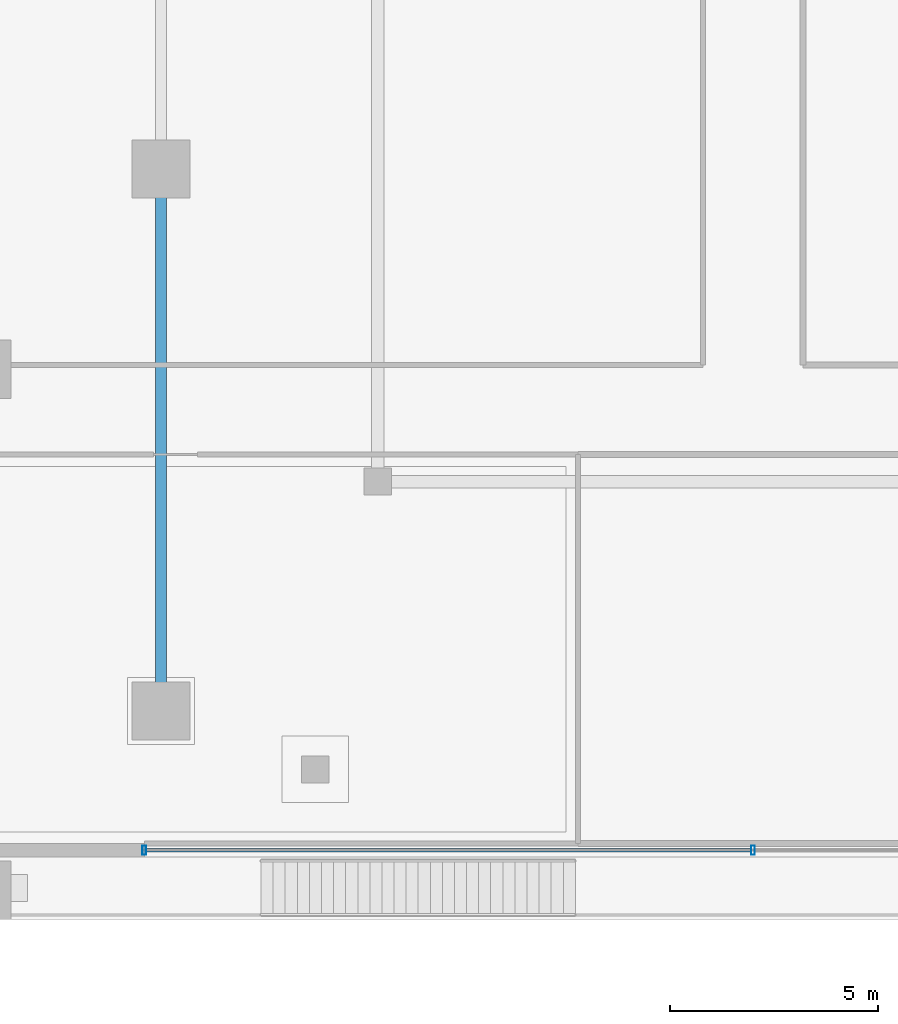
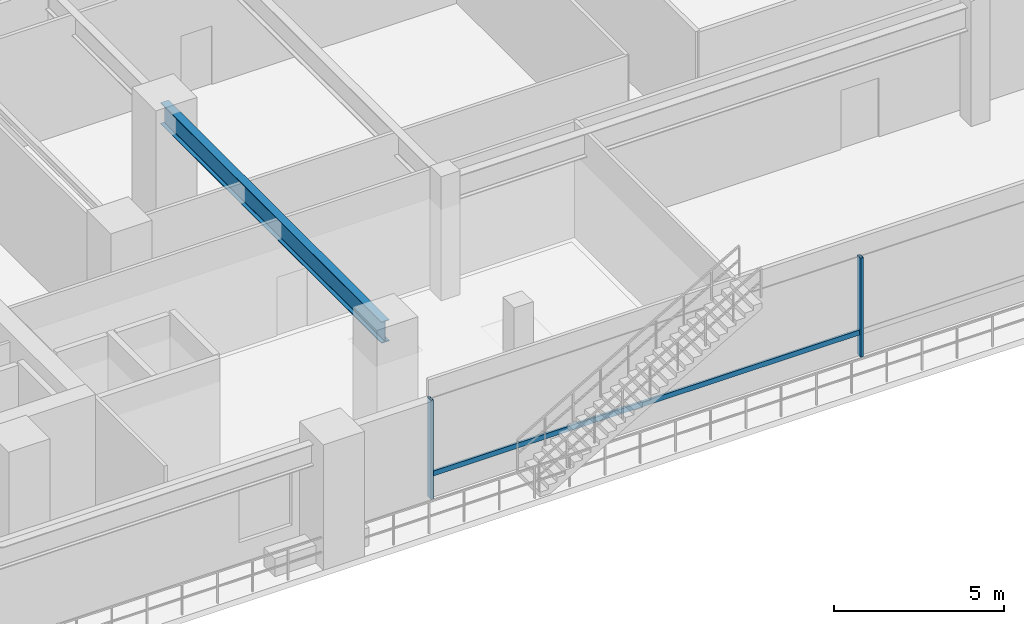
# One storey, part 2 of 22: 3 members, 1 beam, 1 element without a shape of its own.
"""IFC4 building model written with IfcOpenShell, lengths in metres."""

import ifcopenshell
import ifcopenshell.guid

model = None  # the IFC model being written
_history = None  # IfcOwnerHistory: only IFC2X3 demands one
_inside = {}  # id of a spatial element -> (the spatial element, [elements in it])
_under = {}  # id of a project, library or spatial element -> (it, [spatial elements below it])
_declared = {}  # id of a project -> (the project, [libraries it declares])
_typed = {}  # id of a type object -> (the type object, [elements of that type])
_made_of = {}  # id of a material, layer set ... -> (it, [elements and type objects made of it])


def new_model(schema):
    """Start an empty IFC model of exactly this schema.

    Asked for "IFC4X3", IfcOpenShell would pick the latest addendum, in which some entities
    have other attributes; the version numbers below select the first issue.
    IFC2X3 requires an IfcOwnerHistory on every rooted entity: one is made here for all.
    """
    global model, _history
    if schema == "IFC4X3":
        model = ifcopenshell.file(schema_version=(4, 3, 0, 0))
    else:
        model = ifcopenshell.file(schema=schema)
    _inside.clear()
    _under.clear()
    _declared.clear()
    _typed.clear()
    _made_of.clear()
    _history = None
    if model.schema == "IFC2X3":
        org = make("IfcOrganization", Name="unknown")
        user = make(
            "IfcPersonAndOrganization",
            ThePerson=make("IfcPerson", FamilyName="unknown"),
            TheOrganization=org,
        )
        app = make(
            "IfcApplication",
            ApplicationDeveloper=org,
            Version="unknown",
            ApplicationFullName="unknown",
            ApplicationIdentifier="unknown",
        )
        _history = make(
            "IfcOwnerHistory",
            OwningUser=user,
            OwningApplication=app,
            ChangeAction="ADDED",
            CreationDate=0,
        )
    return model


def make(cls, **values):
    """One entity of the class cls with the attributes given. An attribute that is None is left unset."""
    return model.create_entity(
        cls, **{name: value for name, value in values.items() if value is not None}
    )


def rooted(cls, **values):
    """An entity with a GlobalId (a new one), such as an element, a storey or a relation."""
    return make(cls, GlobalId=ifcopenshell.guid.new(), OwnerHistory=_history, **values)


def si_unit(unit_type, name, prefix=None):
    """IfcSIUnit, for example si_unit("LENGTHUNIT", "METRE", prefix="MILLI")."""
    return make("IfcSIUnit", UnitType=unit_type, Prefix=prefix, Name=name)


def assignment(units):
    """IfcUnitAssignment: the units of a project."""
    return None if units is None else make("IfcUnitAssignment", Units=units)


def point(xyz):
    """IfcCartesianPoint."""
    return None if xyz is None else make("IfcCartesianPoint", Coordinates=xyz)


def direction(xyz):
    """IfcDirection."""
    return None if xyz is None else make("IfcDirection", DirectionRatios=xyz)


def frame(location, z_axis=None, x_axis=None):
    """IfcAxis2Placement3D, a coordinate frame: its origin and axes. An axis left out is left unset."""
    return make(
        "IfcAxis2Placement3D",
        Location=point(location),
        Axis=direction(z_axis),
        RefDirection=direction(x_axis),
    )


def frame_2d(location, x_axis=None):
    """IfcAxis2Placement2D, a coordinate frame in the plane: its origin and x axis."""
    return make(
        "IfcAxis2Placement2D", Location=point(location), RefDirection=direction(x_axis)
    )


def origin():
    """The frame at (0, 0, 0) with its axes left unset."""
    return frame((0.0, 0.0, 0.0))


def origin_2d():
    """The frame at (0, 0) in the plane with its x axis left unset."""
    return frame_2d((0.0, 0.0))


def place(relative_to, where):
    """IfcLocalPlacement: puts the frame where relative to a parent placement (None: the world)."""
    return make(
        "IfcLocalPlacement", PlacementRelTo=relative_to, RelativePlacement=where
    )


def context(
    kind, dimensions, precision=None, world=None, true_north=None, identifier=None
):
    """IfcGeometricRepresentationContext, for example the 3D "Model" context."""
    return make(
        "IfcGeometricRepresentationContext",
        ContextIdentifier=identifier,
        ContextType=kind,
        CoordinateSpaceDimension=dimensions,
        Precision=precision,
        WorldCoordinateSystem=world,
        TrueNorth=true_north,
    )


def subcontext(parent, identifier, kind, view, scale=None):
    """IfcGeometricRepresentationSubContext, for example "Body" below "Model"."""
    return make(
        "IfcGeometricRepresentationSubContext",
        ContextIdentifier=identifier,
        ContextType=kind,
        ParentContext=parent,
        TargetScale=scale,
        TargetView=view,
    )


def project(units=None, contexts=None):
    """IfcProject with its units and contexts."""
    return rooted(
        "IfcProject",
        Name="project",
        RepresentationContexts=contexts,
        UnitsInContext=assignment(units),
    )


def spatial(cls, under=None, at=None, **own):
    """A site, building, storey or space (cls), placed at a placement, below another one or the project."""
    s = rooted(cls, ObjectPlacement=at, **own)
    if under is not None:
        _under.setdefault(under.id(), (under, []))[1].append(s)
    return s


def profile(cls, at=None, kind="AREA", **sizes):
    """A parametric profile (cls). Its sizes go by their IFC names, for example OverallWidth=200.0."""
    return make(cls, ProfileType=kind, Position=at, **sizes)


def hollow_rectangle(**sizes):
    """IfcRectangleHollowProfileDef."""
    return profile("IfcRectangleHollowProfileDef", **sizes)


def i_section(**sizes):
    """IfcIShapeProfileDef."""
    return profile("IfcIShapeProfileDef", **sizes)


def extrude(swept, where, along, depth):
    """IfcExtrudedAreaSolid: the profile swept, set in the frame where, extruded along a direction by depth."""
    return make(
        "IfcExtrudedAreaSolid",
        SweptArea=swept,
        Position=where,
        ExtrudedDirection=direction(along),
        Depth=depth,
    )


def shape(context_of_items, identifier, shape_type, items):
    """IfcShapeRepresentation: the items that make up one representation, for example the "Body"."""
    return make(
        "IfcShapeRepresentation",
        ContextOfItems=context_of_items,
        RepresentationIdentifier=identifier,
        RepresentationType=shape_type,
        Items=items,
    )


def material(Name=None, Category=None):
    """IfcMaterial."""
    return make("IfcMaterial", Name=Name, Category=Category)


def material_profile(
    of_material, cross_section, Name=None, Category=None, Priority=None
):
    """IfcMaterialProfile: a cross section and its material."""
    return make(
        "IfcMaterialProfile",
        Name=Name,
        Material=of_material,
        Profile=cross_section,
        Priority=Priority,
        Category=Category,
    )


def profile_set(profiles, Name=None, composite=None):
    """IfcMaterialProfileSet."""
    return make(
        "IfcMaterialProfileSet",
        Name=Name,
        MaterialProfiles=profiles,
        CompositeProfile=composite,
    )


def made_of(thing, what):
    """Note that an element or type object is made of a material, layer set ...; save() writes the relation."""
    if what is not None:
        _made_of.setdefault(what.id(), (what, []))[1].append(thing)
    return thing


def type_object(cls, material=None, **own):
    """A type object (cls), such as IfcWallType, which elements share."""
    return made_of(rooted(cls, **own), material)


def element(
    cls,
    number,
    at=None,
    inside=None,
    cuts=None,
    type_object=None,
    material=None,
    context=None,
    identifier="Body",
    shape_type=None,
    held_by="IfcProductDefinitionShape",
    body=None,
    shapes=None,
    **own,
):
    """One element of the class cls, such as IfcWall. Its Tag is "e" and its number.

    at: its placement. inside: the storey or other place that contains it. cuts: it is an
    opening in that element (IfcRelVoidsElement). A single representation is given by context,
    identifier, shape_type and body (its items); several are given by shapes. held_by: the class
    of the entity that holds the representations. save() writes the other relations.
    """
    e = rooted(cls, Tag="e%d" % number, ObjectPlacement=at, **own)
    if body is not None:
        shapes = [shape(context, identifier, shape_type, body)]
    if shapes is not None:
        e.Representation = make(held_by, Representations=shapes)
    if inside is not None:
        _inside.setdefault(inside.id(), (inside, []))[1].append(e)
    if cuts is not None:
        rooted(
            "IfcRelVoidsElement", RelatingBuildingElement=cuts, RelatedOpeningElement=e
        )
    if type_object is not None:
        _typed.setdefault(type_object.id(), (type_object, []))[1].append(e)
    return made_of(e, material)


def aggregate(whole, parts):
    """IfcRelAggregates: a whole, such as a stair, and the parts it consists of."""
    return rooted("IfcRelAggregates", RelatingObject=whole, RelatedObjects=parts)


def save(model, path):
    """Write the relations noted so far, then the file.

    IfcRelAggregates (storeys below a building ...), IfcRelContainedInSpatialStructure (elements
    in a storey), IfcRelDefinesByType, IfcRelAssociatesMaterial and IfcRelDeclares: one each for
    every whole, place, type object, material and project.
    """
    for whole, parts in _under.values():
        aggregate(whole, parts)
    for where, things in _inside.values():
        rooted(
            "IfcRelContainedInSpatialStructure",
            RelatedElements=things,
            RelatingStructure=where,
        )
    for kind, things in _typed.values():
        rooted("IfcRelDefinesByType", RelatedObjects=things, RelatingType=kind)
    for what, things in _made_of.values():
        rooted("IfcRelAssociatesMaterial", RelatedObjects=things, RelatingMaterial=what)
    for by, libraries in _declared.values():
        rooted("IfcRelDeclares", RelatingContext=by, RelatedDefinitions=libraries)
    model.write(path)


model = new_model("IFC4")

# Units and contexts
model_context = context("Model", 3, precision=1e-05, world=origin(), true_north=direction((0.0, 1.0)))
body_context = subcontext(model_context, "Body", "Model", "MODEL_VIEW")
ifc_project = project(units=[si_unit("LENGTHUNIT", "METRE"), si_unit("AREAUNIT", "SQUARE_METRE"), si_unit("VOLUMEUNIT", "CUBIC_METRE"), si_unit("PLANEANGLEUNIT", "RADIAN"), si_unit("MASSUNIT", "GRAM", prefix="KILO")], contexts=[model_context])

# Site, building, storey
site_placement = place(None, origin())
site = spatial("IfcSite", under=ifc_project, at=site_placement, CompositionType="ELEMENT")
building_placement = place(site_placement, origin())
building = spatial("IfcBuilding", under=site, at=building_placement, Name="Thornwick Lancets Civic Towers", CompositionType="ELEMENT")
storey_placement = place(building_placement, frame((0.0, 0.0, 18.60009765625)))
storey = spatial("IfcBuildingStorey", under=building, at=storey_placement, Name="L04", CompositionType="ELEMENT", Elevation=18.60009765625)

# Beam
ifc_material_1 = material(Name="Steel S355JR", Category="steel")
ifc_material_profile_1 = material_profile(ifc_material_1, i_section(OverallWidth=0.26806640625, OverallDepth=0.769775390625, WebThickness=0.015625, FlangeThickness=0.025390625, FilletRadius=0.0166015625, at=origin_2d()), Name="UKB 762x267x197")
ifc_profile_set_1 = profile_set([ifc_material_profile_1], Name="Steel S355JR")
beam_type = type_object("IfcBeamType", Name="BM_GIRD_762_197", PredefinedType="BEAM", material=ifc_profile_set_1)
beam_placement = place(storey_placement, frame((42.800048828125, 14.0, 3.794921875), z_axis=(0.0, 1.0, 0.0), x_axis=(-1.0, 0.0, 0.0)))
element("IfcBeam", 1, at=beam_placement, inside=storey, type_object=beam_type, Name="BM-SPINE-L04-A-3-4", PredefinedType="BEAM", context=body_context, shape_type="SweptSolid", body=[
    extrude(i_section(OverallWidth=0.26806640625, OverallDepth=0.769775390625, WebThickness=0.015625, FlangeThickness=0.025390625, FilletRadius=0.0166015625, at=origin_2d()), origin(), (0.0, 0.0, 1.0), 13.0),
])

# Curtain wall, members
ifc_material_2 = material(Name="Terracotta-trimmed cascading podium ribbon curtain wall", Category="masonry")
curtain_wall_type = type_object("IfcCurtainWallType", Name="CW_SYS_02", PredefinedType="NOTDEFINED", material=ifc_material_2)
curtain_wall_placement = place(storey_placement, origin())
curtain_wall = element("IfcCurtainWall", 2, at=curtain_wall_placement, inside=storey, type_object=curtain_wall_type, Name="L04 Curtain Wall CW-L04-POD-SC", PredefinedType="NOTDEFINED")
ifc_material_3 = material(Name="Thermally broken bronze aluminium S355", Category="steel")
ifc_material_profile_2 = material_profile(ifc_material_3, hollow_rectangle(XDim=0.090087890625, YDim=0.219970703125, WallThickness=0.00634765625, at=origin_2d()), Name="RHS 220x90x6.3")
ifc_profile_set_2 = profile_set([ifc_material_profile_2], Name="Thermally broken bronze aluminium S355")
member_type_1 = type_object("IfcMemberType", Name="CW_MUL_220", PredefinedType="MULLION", material=ifc_profile_set_2)
member_1_placement = place(storey_placement, frame((42.39990234375, 10.659912109375, 0.0), z_axis=(0.0, 0.0, 1.0), x_axis=(1.0, 0.0, 0.0)))
member_1 = element("IfcMember", 3, at=member_1_placement, type_object=member_type_1, Name="CW-L04-POD-SC Mullion 0", PredefinedType="MULLION", context=body_context, shape_type="SweptSolid", body=[
    extrude(hollow_rectangle(XDim=0.090087890625, YDim=0.219970703125, WallThickness=0.00634765625, at=origin_2d()), origin(), (0.0, 0.0, 1.0), 3.559814453125),
])
member_2_placement = place(storey_placement, frame((57.0, 10.659912109375, 0.0), z_axis=(0.0, 0.0, 1.0), x_axis=(1.0, 0.0, 0.0)))
member_2 = element("IfcMember", 4, at=member_2_placement, type_object=member_type_1, Name="CW-L04-POD-SC Mullion 1", PredefinedType="MULLION", context=body_context, shape_type="SweptSolid", body=[
    extrude(hollow_rectangle(XDim=0.090087890625, YDim=0.219970703125, WallThickness=0.00634765625, at=origin_2d()), origin(), (0.0, 0.0, 1.0), 3.559814453125),
])
ifc_material_profile_3 = material_profile(ifc_material_3, hollow_rectangle(XDim=0.074951171875, YDim=0.179931640625, WallThickness=0.006103515625, at=origin_2d()), Name="RHS 180x75x6")
ifc_profile_set_3 = profile_set([ifc_material_profile_3], Name="Thermally broken bronze aluminium S355")
member_type_2 = type_object("IfcMemberType", Name="CW_TRN_180", PredefinedType="USERDEFINED", material=ifc_profile_set_3)
member_3_placement = place(storey_placement, frame((42.419921875, 10.659912109375, 0.849853515625), z_axis=(1.0, 0.0, 0.0), x_axis=(0.0, 1.0, 0.0)))
member_3 = element("IfcMember", 5, at=member_3_placement, type_object=member_type_2, Name="CW-L04-POD-SC Transom 0", ObjectType="TRANSOM", PredefinedType="USERDEFINED", context=body_context, shape_type="SweptSolid", body=[
    extrude(hollow_rectangle(XDim=0.074951171875, YDim=0.179931640625, WallThickness=0.006103515625, at=origin_2d()), origin(), (0.0, 0.0, 1.0), 14.56005859375),
])
aggregate(curtain_wall, [member_1, member_2, member_3])

save(model, "model.ifc")
